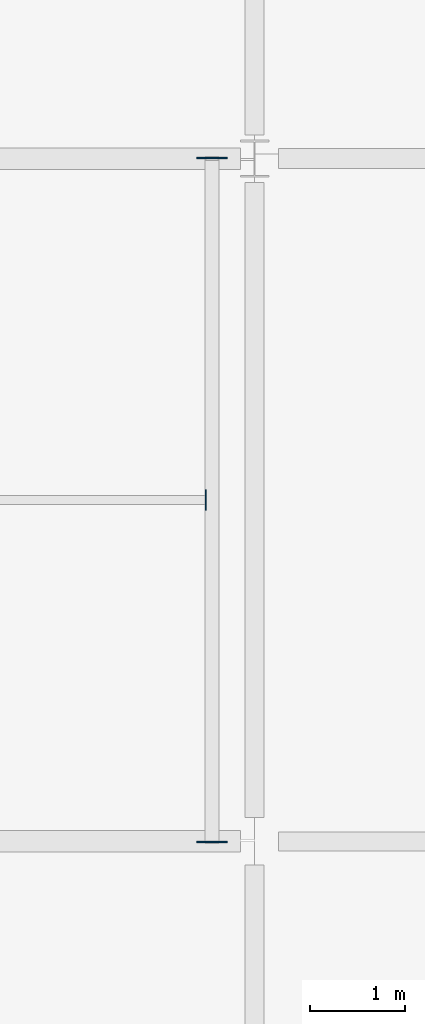
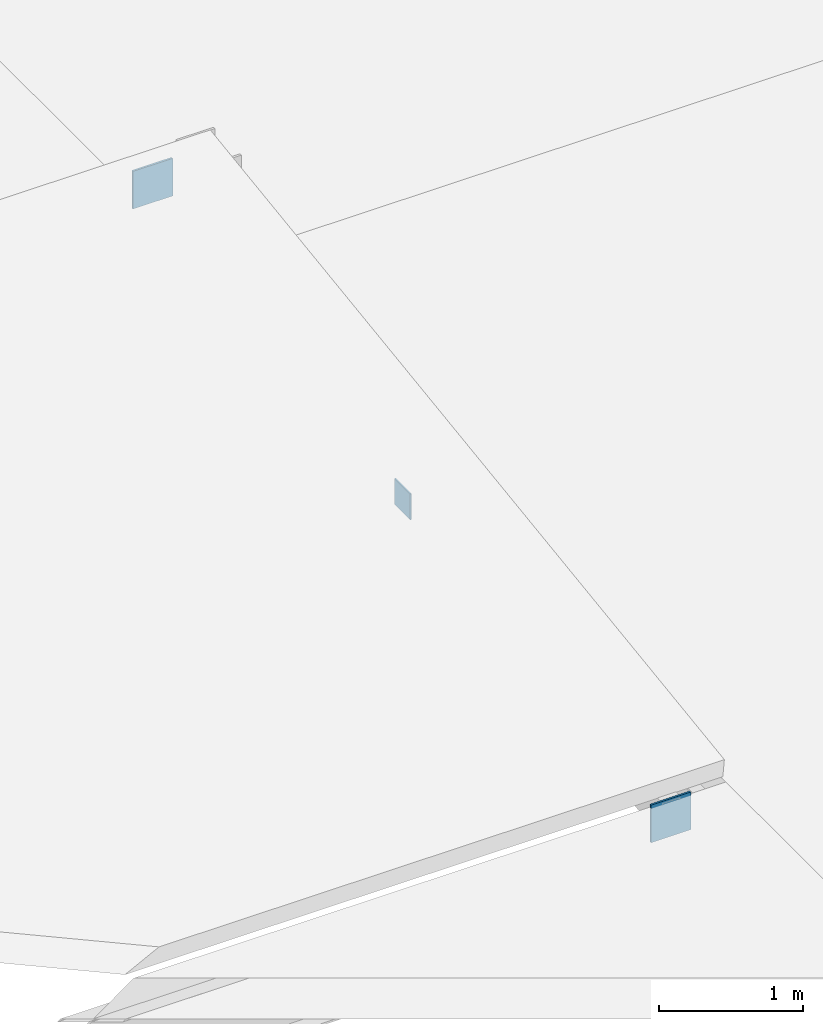
# One storey, part 22 of 32: 3 plates.
"""IFC4 building model written with IfcOpenShell, lengths in metres."""

from ifc_helpers import new_model, si_unit, direction, frame, origin, origin_2d, place, context, subcontext, project, spatial, rectangle, extrude, material, layer, layer_set, type_object, element, save


model = new_model("IFC4")

# Units and contexts
model_context = context("Model", 3, precision=1e-05, world=origin(), true_north=direction((0.0, 1.0)))
body_context = subcontext(model_context, "Body", "Model", "MODEL_VIEW")
ifc_project = project(units=[si_unit("LENGTHUNIT", "METRE"), si_unit("AREAUNIT", "SQUARE_METRE"), si_unit("VOLUMEUNIT", "CUBIC_METRE"), si_unit("PLANEANGLEUNIT", "RADIAN"), si_unit("MASSUNIT", "GRAM", prefix="KILO")], contexts=[model_context])

# Site, building, storey
site_placement = place(None, origin())
site = spatial("IfcSite", under=ifc_project, at=site_placement, CompositionType="ELEMENT")
building_placement = place(site_placement, origin())
building = spatial("IfcBuilding", under=site, at=building_placement, Name="Sardonyx Promenade Sports Hall", CompositionType="ELEMENT")
storey_placement = place(building_placement, frame((0.0, 0.0, 20.39990234375)))
storey = spatial("IfcBuildingStorey", under=building, at=storey_placement, Name="L04", CompositionType="ELEMENT", Elevation=20.39990234375)

# Plates
ifc_material_1 = material(Name="Steel S355JR", Category="steel")
ifc_layer_1 = layer(ifc_material_1, 0.01611328125)
ifc_layer_set_1 = layer_set([ifc_layer_1], Name="Plt_EndCap_EC2")
plate_type_1 = type_object("IfcPlateType", Name="Plt_EndCap_EC2", PredefinedType="USERDEFINED", material=ifc_layer_set_1)
for number, where, z_axis, x_axis, name in (
    (1, (21.14990234375, 50.39208984375, -0.29150390625), (0.0, 0.0, 1.0), (1.0, 0.0, 0.0), "Rafter end-cap plate #23"),
    (2, (21.14990234375, 57.60791015625, 0.72021484375), (0.0, 0.0, 1.0), (1.0, 0.0, 0.0), "Rafter end-cap plate #24"),
):
    element("IfcPlate", number, at=place(storey_placement, frame(where, z_axis=z_axis, x_axis=x_axis)), inside=storey, type_object=plate_type_1, Name=name, ObjectType="END CAP PLATE", PredefinedType="USERDEFINED", context=body_context, shape_type="SweptSolid", body=[
        extrude(rectangle(XDim=0.320068359375, YDim=0.01611328125, at=origin_2d()), origin(), (0.0, 0.0, 1.0), 0.320068359375),
    ])
ifc_material_2 = material(Name="Steel S355JR", Category="steel")
ifc_layer_2 = layer(ifc_material_2, 0.011962890625)
ifc_layer_set_2 = layer_set([ifc_layer_2], Name="Plt_EndCap_EC3")
plate_type_2 = type_object("IfcPlateType", Name="Plt_EndCap_EC3", PredefinedType="USERDEFINED", material=ifc_layer_set_2)
plate_placement = place(storey_placement, frame((21.0830078125, 54.0, 0.2958984375), z_axis=(0.0, 0.0, 1.0), x_axis=(1.0, 0.0, 0.0)))
element("IfcPlate", 3, at=plate_placement, inside=storey, type_object=plate_type_2, Name="Purlin end-cap plate #56E", ObjectType="END CAP PLATE", PredefinedType="USERDEFINED", context=body_context, shape_type="SweptSolid", body=[
    extrude(rectangle(XDim=0.011962890625, YDim=0.219970703125, at=origin_2d()), origin(), (0.0, 0.0, 1.0), 0.219970703125),
])

save(model, "model.ifc")
